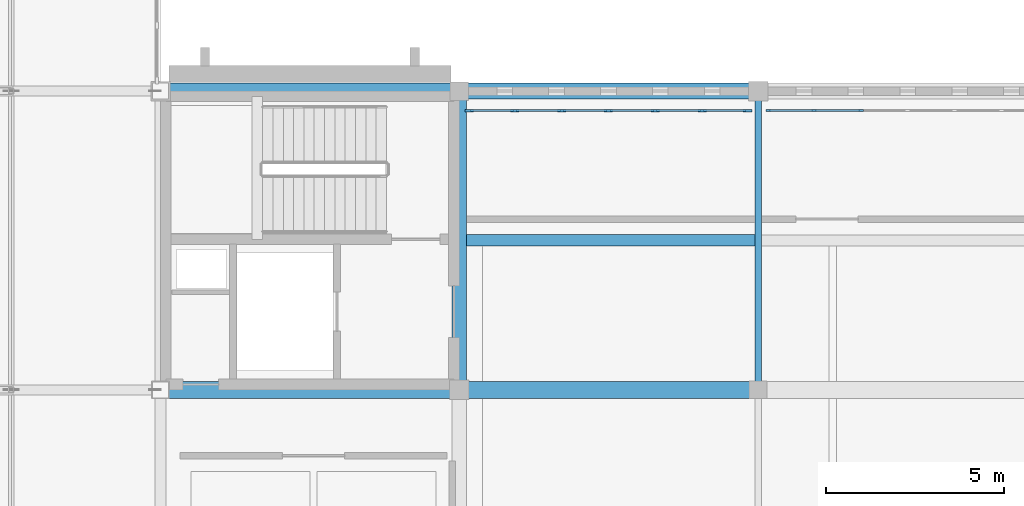
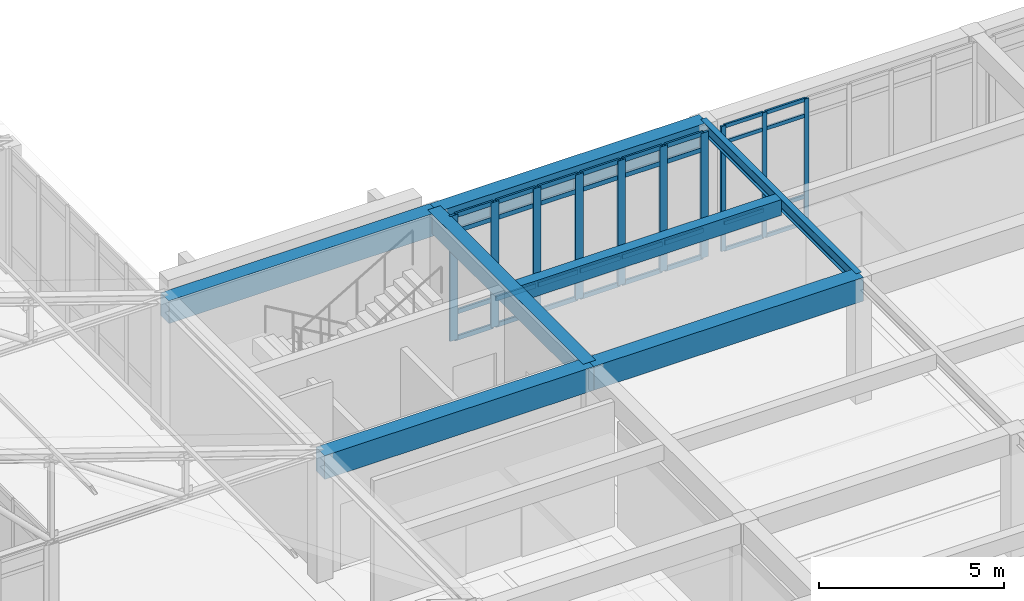
# One storey, part 59 of 192: 42 members, 7 beams, 2 elements without a shape of their own.
"""IFC4 building model written with IfcOpenShell, lengths in metres."""

from ifc_helpers import new_model, si_unit, direction, frame, origin, origin_2d, place, context, subcontext, project, spatial, rectangle, i_section, extrude, material, layer, layer_set, material_profile, profile_set, type_object, element, aggregate, save


model = new_model("IFC4")

# Units and contexts
model_context = context("Model", 3, precision=1e-05, world=origin(), true_north=direction((0.0, 1.0)))
body_context = subcontext(model_context, "Body", "Model", "MODEL_VIEW")
ifc_project = project(units=[si_unit("LENGTHUNIT", "METRE"), si_unit("AREAUNIT", "SQUARE_METRE"), si_unit("VOLUMEUNIT", "CUBIC_METRE"), si_unit("PLANEANGLEUNIT", "RADIAN"), si_unit("MASSUNIT", "GRAM", prefix="KILO")], contexts=[model_context])

# Site, building, storey
site_placement = place(None, origin())
site = spatial("IfcSite", under=ifc_project, at=site_placement, CompositionType="ELEMENT")
building_placement = place(site_placement, origin())
building = spatial("IfcBuilding", under=site, at=building_placement, Name="Kveldsbrygga Polytechnic", CompositionType="ELEMENT")
storey_placement = place(building_placement, frame((0.0, 0.0, 5.43994140625)))
storey = spatial("IfcBuildingStorey", under=building, at=storey_placement, Name="L01", CompositionType="ELEMENT", Elevation=5.43994140625)

# Beams
ifc_material_1 = material(Name="Concrete C35/45", Category="concrete")
ifc_material_profile_1 = material_profile(ifc_material_1, rectangle(XDim=0.39990234375, YDim=0.64990234375, at=origin_2d()), Name="RC 400x650")
ifc_profile_set_1 = profile_set([ifc_material_profile_1], Name="Concrete C35/45")
beam_type_1 = type_object("IfcBeamType", Name="BM-RC-400x650", PredefinedType="BEAM", material=ifc_profile_set_1)
beam_1_placement = place(storey_placement, frame((84.0, 16.800048828125, 3.795166015625), z_axis=(0.0, 1.0, 0.0), x_axis=(-1.0, 0.0, 0.0)))
element("IfcBeam", 1, at=beam_1_placement, inside=storey, type_object=beam_type_1, Name="Primary Beam BMY-L01-10-02to03", PredefinedType="BEAM", context=body_context, shape_type="SweptSolid", body=[
    extrude(rectangle(XDim=0.39990234375, YDim=0.64990234375, at=origin_2d()), origin(), (0.0, 0.0, 1.0), 8.39990234375),
])
ifc_material_profile_2 = material_profile(ifc_material_1, rectangle(XDim=0.449951171875, YDim=0.75, at=origin_2d()), Name="RC 450x750")
ifc_profile_set_2 = profile_set([ifc_material_profile_2], Name="Concrete C35/45")
beam_type_2 = type_object("IfcBeamType", Name="BM-RC-450x750", PredefinedType="BEAM", material=ifc_profile_set_2)
for number, where, z_axis, x_axis, name in (
    (2, (75.60009765625, 25.199951171875, 3.7451171875), (1.0, 0.0, 0.0), (0.0, 1.0, 0.0), "Primary Beam BMX-L01-09to10-03"),
    (3, (84.0, 25.199951171875, 3.7451171875), (1.0, 0.0, 0.0), (0.0, 1.0, 0.0), "Primary Beam BMX-L01-10to11-03"),
):
    element("IfcBeam", number, at=place(storey_placement, frame(where, z_axis=z_axis, x_axis=x_axis)), inside=storey, type_object=beam_type_2, Name=name, PredefinedType="BEAM", context=body_context, shape_type="SweptSolid", body=[
        extrude(rectangle(XDim=0.449951171875, YDim=0.75, at=origin_2d()), origin(), (0.0, 0.0, 1.0), 8.39990234375),
    ])
ifc_material_profile_3 = material_profile(ifc_material_1, rectangle(XDim=0.47998046875, YDim=0.780029296875, at=origin_2d()), Name="RC 480x780")
ifc_profile_set_3 = profile_set([ifc_material_profile_3], Name="Concrete C35/45")
beam_type_3 = type_object("IfcBeamType", Name="BM-RC-480x780", PredefinedType="BEAM", material=ifc_profile_set_3)
for number, where, z_axis, x_axis, name in (
    (4, (75.60009765625, 16.800048828125, 3.72998046875), (1.0, 0.0, 0.0), (0.0, 1.0, 0.0), "Primary Beam BMX-L01-09to10-02"),
    (5, (84.0, 16.800048828125, 3.72998046875), (1.0, 0.0, 0.0), (0.0, 1.0, 0.0), "Primary Beam BMX-L01-10to11-02"),
):
    element("IfcBeam", number, at=place(storey_placement, frame(where, z_axis=z_axis, x_axis=x_axis)), inside=storey, type_object=beam_type_3, Name=name, PredefinedType="BEAM", context=body_context, shape_type="SweptSolid", body=[
        extrude(rectangle(XDim=0.47998046875, YDim=0.780029296875, at=origin_2d()), origin(), (0.0, 0.0, 1.0), 8.39990234375),
    ])
ifc_material_2 = material(Name="Steel S355", Category="steel")
ifc_material_profile_4 = material_profile(ifc_material_2, i_section(OverallWidth=0.179931640625, OverallDepth=0.39990234375, WebThickness=0.008544921875, FlangeThickness=0.013427734375, FilletRadius=0.02099609375, at=origin_2d()), Name="IPE 400")
ifc_profile_set_4 = profile_set([ifc_material_profile_4], Name="Steel S355")
beam_type_4 = type_object("IfcBeamType", Name="BM-STL-IPE400", PredefinedType="BEAM", material=ifc_profile_set_4)
beam_2_placement = place(storey_placement, frame((92.39990234375, 16.800048828125, 3.920166015625), z_axis=(0.0, 1.0, 0.0), x_axis=(-1.0, 0.0, 0.0)))
element("IfcBeam", 6, at=beam_2_placement, inside=storey, type_object=beam_type_4, Name="Primary Beam BMY-L01-11-02to03", PredefinedType="BEAM", context=body_context, shape_type="SweptSolid", body=[
    extrude(i_section(OverallWidth=0.179931640625, OverallDepth=0.39990234375, WebThickness=0.008544921875, FlangeThickness=0.013427734375, FilletRadius=0.02099609375, at=origin_2d()), origin(), (0.0, 0.0, 1.0), 8.39990234375),
])

# Curtain wall, members
ifc_material_3 = material(Name="Anodised aluminium AW-6060", Category="aluminium")
ifc_layer_1 = layer(ifc_material_3, 0.179931640625)
ifc_layer_set_1 = layer_set([ifc_layer_1], Name="Anodised aluminium AW-6060")
curtain_wall_type_1 = type_object("IfcCurtainWallType", Name="CW-CONC-A", PredefinedType="USERDEFINED", material=ifc_layer_set_1)
curtain_wall_1_placement = place(storey_placement, origin())
curtain_wall_1 = element("IfcCurtainWall", 7, at=curtain_wall_1_placement, inside=storey, type_object=curtain_wall_type_1, Name="Curtain Wall CW-L01-X-11-03", ObjectType="UNITISED CURTAIN WALL", PredefinedType="USERDEFINED")
ifc_material_profile_5 = material_profile(ifc_material_3, rectangle(XDim=0.06005859375, YDim=0.139892578125, at=origin_2d()), Name="ALU 60x140")
ifc_profile_set_5 = profile_set([ifc_material_profile_5], Name="Anodised aluminium AW-6060")
member_type_1 = type_object("IfcMemberType", Name="CW-MUL-140", PredefinedType="MULLION", material=ifc_profile_set_5)
member_1_placement = place(storey_placement, frame((92.68994140625, 24.64990234375, 0.0), z_axis=(0.0, 0.0, 1.0), x_axis=(0.0, 1.0, 0.0)))
member_1 = element("IfcMember", 8, at=member_1_placement, type_object=member_type_1, Name="CW-01 mullion 1", PredefinedType="MULLION", context=body_context, shape_type="SweptSolid", body=[
    extrude(rectangle(XDim=0.06005859375, YDim=0.139892578125, at=origin_2d()), origin(), (0.0, 0.0, 1.0), 4.1201171875),
])
member_2_placement = place(storey_placement, frame((93.975830078125, 24.64990234375, 0.0), z_axis=(0.0, 0.0, 1.0), x_axis=(0.0, 1.0, 0.0)))
member_2 = element("IfcMember", 9, at=member_2_placement, type_object=member_type_1, Name="CW-01 mullion 2", PredefinedType="MULLION", context=body_context, shape_type="SweptSolid", body=[
    extrude(rectangle(XDim=0.06005859375, YDim=0.139892578125, at=origin_2d()), origin(), (0.0, 0.0, 1.0), 4.1201171875),
])
member_3_placement = place(storey_placement, frame((95.291748046875, 24.64990234375, 0.0), z_axis=(0.0, 0.0, 1.0), x_axis=(0.0, 1.0, 0.0)))
member_3 = element("IfcMember", 10, at=member_3_placement, type_object=member_type_1, Name="CW-01 mullion 3", PredefinedType="MULLION", context=body_context, shape_type="SweptSolid", body=[
    extrude(rectangle(XDim=0.06005859375, YDim=0.139892578125, at=origin_2d()), origin(), (0.0, 0.0, 1.0), 4.1201171875),
])

ifc_layer_2 = layer(ifc_material_3, 0.2099609375)
ifc_layer_set_2 = layer_set([ifc_layer_2], Name="Anodised aluminium AW-6060")
curtain_wall_type_2 = type_object("IfcCurtainWallType", Name="CW-LIBR-H", PredefinedType="USERDEFINED", material=ifc_layer_set_2)
curtain_wall_2_placement = place(storey_placement, origin())
curtain_wall_2 = element("IfcCurtainWall", 11, at=curtain_wall_2_placement, inside=storey, type_object=curtain_wall_type_2, Name="Curtain Wall CW-L01-X-10-03", ObjectType="UNITISED CURTAIN WALL", PredefinedType="USERDEFINED")
ifc_material_profile_6 = material_profile(ifc_material_3, rectangle(XDim=0.074951171875, YDim=0.239990234375, at=origin_2d()), Name="ALU 75x240")
ifc_profile_set_6 = profile_set([ifc_material_profile_6], Name="Anodised aluminium AW-6060")
member_type_2 = type_object("IfcMemberType", Name="CW-MUL-240", PredefinedType="MULLION", material=ifc_profile_set_6)
member_4_placement = place(storey_placement, frame((84.282470703125, 24.64990234375, 0.0), z_axis=(0.0, 0.0, 1.0), x_axis=(0.0, 1.0, 0.0)))
member_4 = element("IfcMember", 12, at=member_4_placement, type_object=member_type_2, Name="CW-08 mullion 1", PredefinedType="MULLION", context=body_context, shape_type="SweptSolid", body=[
    extrude(rectangle(XDim=0.074951171875, YDim=0.239990234375, at=origin_2d()), origin(), (0.0, 0.0, 1.0), 4.1201171875),
])
member_5_placement = place(storey_placement, frame((85.560791015625, 24.64990234375, 0.0), z_axis=(0.0, 0.0, 1.0), x_axis=(0.0, 1.0, 0.0)))
member_5 = element("IfcMember", 13, at=member_5_placement, type_object=member_type_2, Name="CW-08 mullion 2", PredefinedType="MULLION", context=body_context, shape_type="SweptSolid", body=[
    extrude(rectangle(XDim=0.074951171875, YDim=0.239990234375, at=origin_2d()), origin(), (0.0, 0.0, 1.0), 4.1201171875),
])
member_6_placement = place(storey_placement, frame((86.876708984375, 24.64990234375, 0.0), z_axis=(0.0, 0.0, 1.0), x_axis=(0.0, 1.0, 0.0)))
member_6 = element("IfcMember", 14, at=member_6_placement, type_object=member_type_2, Name="CW-08 mullion 3", PredefinedType="MULLION", context=body_context, shape_type="SweptSolid", body=[
    extrude(rectangle(XDim=0.074951171875, YDim=0.239990234375, at=origin_2d()), origin(), (0.0, 0.0, 1.0), 4.1201171875),
])
member_7_placement = place(storey_placement, frame((88.1923828125, 24.64990234375, 0.0), z_axis=(0.0, 0.0, 1.0), x_axis=(0.0, 1.0, 0.0)))
member_7 = element("IfcMember", 15, at=member_7_placement, type_object=member_type_2, Name="CW-08 mullion 4", PredefinedType="MULLION", context=body_context, shape_type="SweptSolid", body=[
    extrude(rectangle(XDim=0.074951171875, YDim=0.239990234375, at=origin_2d()), origin(), (0.0, 0.0, 1.0), 4.1201171875),
])
member_8_placement = place(storey_placement, frame((89.50830078125, 24.64990234375, 0.0), z_axis=(0.0, 0.0, 1.0), x_axis=(0.0, 1.0, 0.0)))
member_8 = element("IfcMember", 16, at=member_8_placement, type_object=member_type_2, Name="CW-08 mullion 5", PredefinedType="MULLION", context=body_context, shape_type="SweptSolid", body=[
    extrude(rectangle(XDim=0.074951171875, YDim=0.239990234375, at=origin_2d()), origin(), (0.0, 0.0, 1.0), 4.1201171875),
])
member_9_placement = place(storey_placement, frame((90.82421875, 24.64990234375, 0.0), z_axis=(0.0, 0.0, 1.0), x_axis=(0.0, 1.0, 0.0)))
member_9 = element("IfcMember", 17, at=member_9_placement, type_object=member_type_2, Name="CW-08 mullion 6", PredefinedType="MULLION", context=body_context, shape_type="SweptSolid", body=[
    extrude(rectangle(XDim=0.074951171875, YDim=0.239990234375, at=origin_2d()), origin(), (0.0, 0.0, 1.0), 4.1201171875),
])
member_10_placement = place(storey_placement, frame((92.1025390625, 24.64990234375, 0.0), z_axis=(0.0, 0.0, 1.0), x_axis=(0.0, 1.0, 0.0)))
member_10 = element("IfcMember", 18, at=member_10_placement, type_object=member_type_2, Name="CW-08 mullion 7", PredefinedType="MULLION", context=body_context, shape_type="SweptSolid", body=[
    extrude(rectangle(XDim=0.074951171875, YDim=0.239990234375, at=origin_2d()), origin(), (0.0, 0.0, 1.0), 4.1201171875),
])

# Member
ifc_material_profile_7 = material_profile(ifc_material_3, rectangle(XDim=0.06005859375, YDim=0.1201171875, at=origin_2d()), Name="ALU 60x120")
ifc_profile_set_7 = profile_set([ifc_material_profile_7], Name="Anodised aluminium AW-6060")
member_type_3 = type_object("IfcMemberType", Name="CW-TRN-120", PredefinedType="USERDEFINED", material=ifc_profile_set_7)
member_11_placement = place(storey_placement, frame((92.719970703125, 24.64990234375, 0.030029296875), z_axis=(1.0, 0.0, 0.0), x_axis=(0.0, 1.0, 0.0)))
member_11 = element("IfcMember", 19, at=member_11_placement, type_object=member_type_3, Name="CW-01 transom 1.1", ObjectType="TRANSOM", PredefinedType="USERDEFINED", context=body_context, shape_type="SweptSolid", body=[
    extrude(rectangle(XDim=0.06005859375, YDim=0.1201171875, at=origin_2d()), origin(), (0.0, 0.0, 1.0), 1.225830078125),
])

member_12_placement = place(storey_placement, frame((92.719970703125, 24.64990234375, 0.900146484375), z_axis=(1.0, 0.0, 0.0), x_axis=(0.0, 1.0, 0.0)))
member_12 = element("IfcMember", 20, at=member_12_placement, type_object=member_type_3, Name="CW-01 transom 1.2", ObjectType="TRANSOM", PredefinedType="USERDEFINED", context=body_context, shape_type="SweptSolid", body=[
    extrude(rectangle(XDim=0.06005859375, YDim=0.1201171875, at=origin_2d()), origin(), (0.0, 0.0, 1.0), 1.225830078125),
])

member_13_placement = place(storey_placement, frame((92.719970703125, 24.64990234375, 3.570068359375), z_axis=(1.0, 0.0, 0.0), x_axis=(0.0, 1.0, 0.0)))
member_13 = element("IfcMember", 21, at=member_13_placement, type_object=member_type_3, Name="CW-01 transom 1.3", ObjectType="TRANSOM", PredefinedType="USERDEFINED", context=body_context, shape_type="SweptSolid", body=[
    extrude(rectangle(XDim=0.06005859375, YDim=0.1201171875, at=origin_2d()), origin(), (0.0, 0.0, 1.0), 1.225830078125),
])

member_14_placement = place(storey_placement, frame((92.719970703125, 24.64990234375, 4.090087890625), z_axis=(1.0, 0.0, 0.0), x_axis=(0.0, 1.0, 0.0)))
member_14 = element("IfcMember", 22, at=member_14_placement, type_object=member_type_3, Name="CW-01 transom 1.4", ObjectType="TRANSOM", PredefinedType="USERDEFINED", context=body_context, shape_type="SweptSolid", body=[
    extrude(rectangle(XDim=0.06005859375, YDim=0.1201171875, at=origin_2d()), origin(), (0.0, 0.0, 1.0), 1.225830078125),
])

member_15_placement = place(storey_placement, frame((94.005859375, 24.64990234375, 0.030029296875), z_axis=(1.0, 0.0, 0.0), x_axis=(0.0, 1.0, 0.0)))
member_15 = element("IfcMember", 23, at=member_15_placement, type_object=member_type_3, Name="CW-01 transom 2.1", ObjectType="TRANSOM", PredefinedType="USERDEFINED", context=body_context, shape_type="SweptSolid", body=[
    extrude(rectangle(XDim=0.06005859375, YDim=0.1201171875, at=origin_2d()), origin(), (0.0, 0.0, 1.0), 1.255859375),
])

member_16_placement = place(storey_placement, frame((94.005859375, 24.64990234375, 0.900146484375), z_axis=(1.0, 0.0, 0.0), x_axis=(0.0, 1.0, 0.0)))
member_16 = element("IfcMember", 24, at=member_16_placement, type_object=member_type_3, Name="CW-01 transom 2.2", ObjectType="TRANSOM", PredefinedType="USERDEFINED", context=body_context, shape_type="SweptSolid", body=[
    extrude(rectangle(XDim=0.06005859375, YDim=0.1201171875, at=origin_2d()), origin(), (0.0, 0.0, 1.0), 1.255859375),
])

member_17_placement = place(storey_placement, frame((94.005859375, 24.64990234375, 3.570068359375), z_axis=(1.0, 0.0, 0.0), x_axis=(0.0, 1.0, 0.0)))
member_17 = element("IfcMember", 25, at=member_17_placement, type_object=member_type_3, Name="CW-01 transom 2.3", ObjectType="TRANSOM", PredefinedType="USERDEFINED", context=body_context, shape_type="SweptSolid", body=[
    extrude(rectangle(XDim=0.06005859375, YDim=0.1201171875, at=origin_2d()), origin(), (0.0, 0.0, 1.0), 1.255859375),
])

member_18_placement = place(storey_placement, frame((94.005859375, 24.64990234375, 4.090087890625), z_axis=(1.0, 0.0, 0.0), x_axis=(0.0, 1.0, 0.0)))
member_18 = element("IfcMember", 26, at=member_18_placement, type_object=member_type_3, Name="CW-01 transom 2.4", ObjectType="TRANSOM", PredefinedType="USERDEFINED", context=body_context, shape_type="SweptSolid", body=[
    extrude(rectangle(XDim=0.06005859375, YDim=0.1201171875, at=origin_2d()), origin(), (0.0, 0.0, 1.0), 1.255859375),
])

aggregate(curtain_wall_1, [member_1, member_2, member_3, member_11, member_12, member_13, member_14, member_15, member_16, member_17, member_18])

ifc_material_profile_8 = material_profile(ifc_material_3, rectangle(XDim=0.06005859375, YDim=0.14990234375, at=origin_2d()), Name="ALU 60x150")
ifc_profile_set_8 = profile_set([ifc_material_profile_8], Name="Anodised aluminium AW-6060")
member_type_4 = type_object("IfcMemberType", Name="CW-TRN-150", PredefinedType="USERDEFINED", material=ifc_profile_set_8)
member_19_placement = place(storey_placement, frame((84.320068359375, 24.64990234375, 0.030029296875), z_axis=(1.0, 0.0, 0.0), x_axis=(0.0, 1.0, 0.0)))
member_19 = element("IfcMember", 27, at=member_19_placement, type_object=member_type_4, Name="CW-08 transom 1.1", ObjectType="TRANSOM", PredefinedType="USERDEFINED", context=body_context, shape_type="SweptSolid", body=[
    extrude(rectangle(XDim=0.06005859375, YDim=0.14990234375, at=origin_2d()), origin(), (0.0, 0.0, 1.0), 1.203369140625),
])

member_20_placement = place(storey_placement, frame((84.320068359375, 24.64990234375, 0.900146484375), z_axis=(1.0, 0.0, 0.0), x_axis=(0.0, 1.0, 0.0)))
member_20 = element("IfcMember", 28, at=member_20_placement, type_object=member_type_4, Name="CW-08 transom 1.2", ObjectType="TRANSOM", PredefinedType="USERDEFINED", context=body_context, shape_type="SweptSolid", body=[
    extrude(rectangle(XDim=0.06005859375, YDim=0.14990234375, at=origin_2d()), origin(), (0.0, 0.0, 1.0), 1.203369140625),
])

member_21_placement = place(storey_placement, frame((84.320068359375, 24.64990234375, 3.570068359375), z_axis=(1.0, 0.0, 0.0), x_axis=(0.0, 1.0, 0.0)))
member_21 = element("IfcMember", 29, at=member_21_placement, type_object=member_type_4, Name="CW-08 transom 1.3", ObjectType="TRANSOM", PredefinedType="USERDEFINED", context=body_context, shape_type="SweptSolid", body=[
    extrude(rectangle(XDim=0.06005859375, YDim=0.14990234375, at=origin_2d()), origin(), (0.0, 0.0, 1.0), 1.203369140625),
])

member_22_placement = place(storey_placement, frame((84.320068359375, 24.64990234375, 4.090087890625), z_axis=(1.0, 0.0, 0.0), x_axis=(0.0, 1.0, 0.0)))
member_22 = element("IfcMember", 30, at=member_22_placement, type_object=member_type_4, Name="CW-08 transom 1.4", ObjectType="TRANSOM", PredefinedType="USERDEFINED", context=body_context, shape_type="SweptSolid", body=[
    extrude(rectangle(XDim=0.06005859375, YDim=0.14990234375, at=origin_2d()), origin(), (0.0, 0.0, 1.0), 1.203369140625),
])

member_23_placement = place(storey_placement, frame((85.598388671875, 24.64990234375, 0.030029296875), z_axis=(1.0, 0.0, 0.0), x_axis=(0.0, 1.0, 0.0)))
member_23 = element("IfcMember", 31, at=member_23_placement, type_object=member_type_4, Name="CW-08 transom 2.1", ObjectType="TRANSOM", PredefinedType="USERDEFINED", context=body_context, shape_type="SweptSolid", body=[
    extrude(rectangle(XDim=0.06005859375, YDim=0.14990234375, at=origin_2d()), origin(), (0.0, 0.0, 1.0), 1.24072265625),
])

member_24_placement = place(storey_placement, frame((85.598388671875, 24.64990234375, 0.900146484375), z_axis=(1.0, 0.0, 0.0), x_axis=(0.0, 1.0, 0.0)))
member_24 = element("IfcMember", 32, at=member_24_placement, type_object=member_type_4, Name="CW-08 transom 2.2", ObjectType="TRANSOM", PredefinedType="USERDEFINED", context=body_context, shape_type="SweptSolid", body=[
    extrude(rectangle(XDim=0.06005859375, YDim=0.14990234375, at=origin_2d()), origin(), (0.0, 0.0, 1.0), 1.24072265625),
])

member_25_placement = place(storey_placement, frame((85.598388671875, 24.64990234375, 3.570068359375), z_axis=(1.0, 0.0, 0.0), x_axis=(0.0, 1.0, 0.0)))
member_25 = element("IfcMember", 33, at=member_25_placement, type_object=member_type_4, Name="CW-08 transom 2.3", ObjectType="TRANSOM", PredefinedType="USERDEFINED", context=body_context, shape_type="SweptSolid", body=[
    extrude(rectangle(XDim=0.06005859375, YDim=0.14990234375, at=origin_2d()), origin(), (0.0, 0.0, 1.0), 1.24072265625),
])

member_26_placement = place(storey_placement, frame((85.598388671875, 24.64990234375, 4.090087890625), z_axis=(1.0, 0.0, 0.0), x_axis=(0.0, 1.0, 0.0)))
member_26 = element("IfcMember", 34, at=member_26_placement, type_object=member_type_4, Name="CW-08 transom 2.4", ObjectType="TRANSOM", PredefinedType="USERDEFINED", context=body_context, shape_type="SweptSolid", body=[
    extrude(rectangle(XDim=0.06005859375, YDim=0.14990234375, at=origin_2d()), origin(), (0.0, 0.0, 1.0), 1.24072265625),
])

member_27_placement = place(storey_placement, frame((86.9140625, 24.64990234375, 0.030029296875), z_axis=(1.0, 0.0, 0.0), x_axis=(0.0, 1.0, 0.0)))
member_27 = element("IfcMember", 35, at=member_27_placement, type_object=member_type_4, Name="CW-08 transom 3.1", ObjectType="TRANSOM", PredefinedType="USERDEFINED", context=body_context, shape_type="SweptSolid", body=[
    extrude(rectangle(XDim=0.06005859375, YDim=0.14990234375, at=origin_2d()), origin(), (0.0, 0.0, 1.0), 1.240966796875),
])

member_28_placement = place(storey_placement, frame((86.9140625, 24.64990234375, 0.900146484375), z_axis=(1.0, 0.0, 0.0), x_axis=(0.0, 1.0, 0.0)))
member_28 = element("IfcMember", 36, at=member_28_placement, type_object=member_type_4, Name="CW-08 transom 3.2", ObjectType="TRANSOM", PredefinedType="USERDEFINED", context=body_context, shape_type="SweptSolid", body=[
    extrude(rectangle(XDim=0.06005859375, YDim=0.14990234375, at=origin_2d()), origin(), (0.0, 0.0, 1.0), 1.240966796875),
])

member_29_placement = place(storey_placement, frame((86.9140625, 24.64990234375, 3.570068359375), z_axis=(1.0, 0.0, 0.0), x_axis=(0.0, 1.0, 0.0)))
member_29 = element("IfcMember", 37, at=member_29_placement, type_object=member_type_4, Name="CW-08 transom 3.3", ObjectType="TRANSOM", PredefinedType="USERDEFINED", context=body_context, shape_type="SweptSolid", body=[
    extrude(rectangle(XDim=0.06005859375, YDim=0.14990234375, at=origin_2d()), origin(), (0.0, 0.0, 1.0), 1.240966796875),
])

member_30_placement = place(storey_placement, frame((86.9140625, 24.64990234375, 4.090087890625), z_axis=(1.0, 0.0, 0.0), x_axis=(0.0, 1.0, 0.0)))
member_30 = element("IfcMember", 38, at=member_30_placement, type_object=member_type_4, Name="CW-08 transom 3.4", ObjectType="TRANSOM", PredefinedType="USERDEFINED", context=body_context, shape_type="SweptSolid", body=[
    extrude(rectangle(XDim=0.06005859375, YDim=0.14990234375, at=origin_2d()), origin(), (0.0, 0.0, 1.0), 1.240966796875),
])

member_31_placement = place(storey_placement, frame((88.22998046875, 24.64990234375, 0.030029296875), z_axis=(1.0, 0.0, 0.0), x_axis=(0.0, 1.0, 0.0)))
member_31 = element("IfcMember", 39, at=member_31_placement, type_object=member_type_4, Name="CW-08 transom 4.1", ObjectType="TRANSOM", PredefinedType="USERDEFINED", context=body_context, shape_type="SweptSolid", body=[
    extrude(rectangle(XDim=0.06005859375, YDim=0.14990234375, at=origin_2d()), origin(), (0.0, 0.0, 1.0), 1.240966796875),
])

member_32_placement = place(storey_placement, frame((88.22998046875, 24.64990234375, 0.900146484375), z_axis=(1.0, 0.0, 0.0), x_axis=(0.0, 1.0, 0.0)))
member_32 = element("IfcMember", 40, at=member_32_placement, type_object=member_type_4, Name="CW-08 transom 4.2", ObjectType="TRANSOM", PredefinedType="USERDEFINED", context=body_context, shape_type="SweptSolid", body=[
    extrude(rectangle(XDim=0.06005859375, YDim=0.14990234375, at=origin_2d()), origin(), (0.0, 0.0, 1.0), 1.240966796875),
])

member_33_placement = place(storey_placement, frame((88.22998046875, 24.64990234375, 3.570068359375), z_axis=(1.0, 0.0, 0.0), x_axis=(0.0, 1.0, 0.0)))
member_33 = element("IfcMember", 41, at=member_33_placement, type_object=member_type_4, Name="CW-08 transom 4.3", ObjectType="TRANSOM", PredefinedType="USERDEFINED", context=body_context, shape_type="SweptSolid", body=[
    extrude(rectangle(XDim=0.06005859375, YDim=0.14990234375, at=origin_2d()), origin(), (0.0, 0.0, 1.0), 1.240966796875),
])

member_34_placement = place(storey_placement, frame((88.22998046875, 24.64990234375, 4.090087890625), z_axis=(1.0, 0.0, 0.0), x_axis=(0.0, 1.0, 0.0)))
member_34 = element("IfcMember", 42, at=member_34_placement, type_object=member_type_4, Name="CW-08 transom 4.4", ObjectType="TRANSOM", PredefinedType="USERDEFINED", context=body_context, shape_type="SweptSolid", body=[
    extrude(rectangle(XDim=0.06005859375, YDim=0.14990234375, at=origin_2d()), origin(), (0.0, 0.0, 1.0), 1.240966796875),
])

member_35_placement = place(storey_placement, frame((89.5458984375, 24.64990234375, 0.030029296875), z_axis=(1.0, 0.0, 0.0), x_axis=(0.0, 1.0, 0.0)))
member_35 = element("IfcMember", 43, at=member_35_placement, type_object=member_type_4, Name="CW-08 transom 5.1", ObjectType="TRANSOM", PredefinedType="USERDEFINED", context=body_context, shape_type="SweptSolid", body=[
    extrude(rectangle(XDim=0.06005859375, YDim=0.14990234375, at=origin_2d()), origin(), (0.0, 0.0, 1.0), 1.24072265625),
])

member_36_placement = place(storey_placement, frame((89.5458984375, 24.64990234375, 0.900146484375), z_axis=(1.0, 0.0, 0.0), x_axis=(0.0, 1.0, 0.0)))
member_36 = element("IfcMember", 44, at=member_36_placement, type_object=member_type_4, Name="CW-08 transom 5.2", ObjectType="TRANSOM", PredefinedType="USERDEFINED", context=body_context, shape_type="SweptSolid", body=[
    extrude(rectangle(XDim=0.06005859375, YDim=0.14990234375, at=origin_2d()), origin(), (0.0, 0.0, 1.0), 1.24072265625),
])

member_37_placement = place(storey_placement, frame((89.5458984375, 24.64990234375, 3.570068359375), z_axis=(1.0, 0.0, 0.0), x_axis=(0.0, 1.0, 0.0)))
member_37 = element("IfcMember", 45, at=member_37_placement, type_object=member_type_4, Name="CW-08 transom 5.3", ObjectType="TRANSOM", PredefinedType="USERDEFINED", context=body_context, shape_type="SweptSolid", body=[
    extrude(rectangle(XDim=0.06005859375, YDim=0.14990234375, at=origin_2d()), origin(), (0.0, 0.0, 1.0), 1.24072265625),
])

member_38_placement = place(storey_placement, frame((89.5458984375, 24.64990234375, 4.090087890625), z_axis=(1.0, 0.0, 0.0), x_axis=(0.0, 1.0, 0.0)))
member_38 = element("IfcMember", 46, at=member_38_placement, type_object=member_type_4, Name="CW-08 transom 5.4", ObjectType="TRANSOM", PredefinedType="USERDEFINED", context=body_context, shape_type="SweptSolid", body=[
    extrude(rectangle(XDim=0.06005859375, YDim=0.14990234375, at=origin_2d()), origin(), (0.0, 0.0, 1.0), 1.24072265625),
])

member_39_placement = place(storey_placement, frame((90.861572265625, 24.64990234375, 0.030029296875), z_axis=(1.0, 0.0, 0.0), x_axis=(0.0, 1.0, 0.0)))
member_39 = element("IfcMember", 47, at=member_39_placement, type_object=member_type_4, Name="CW-08 transom 6.1", ObjectType="TRANSOM", PredefinedType="USERDEFINED", context=body_context, shape_type="SweptSolid", body=[
    extrude(rectangle(XDim=0.06005859375, YDim=0.14990234375, at=origin_2d()), origin(), (0.0, 0.0, 1.0), 1.203369140625),
])

member_40_placement = place(storey_placement, frame((90.861572265625, 24.64990234375, 0.900146484375), z_axis=(1.0, 0.0, 0.0), x_axis=(0.0, 1.0, 0.0)))
member_40 = element("IfcMember", 48, at=member_40_placement, type_object=member_type_4, Name="CW-08 transom 6.2", ObjectType="TRANSOM", PredefinedType="USERDEFINED", context=body_context, shape_type="SweptSolid", body=[
    extrude(rectangle(XDim=0.06005859375, YDim=0.14990234375, at=origin_2d()), origin(), (0.0, 0.0, 1.0), 1.203369140625),
])

member_41_placement = place(storey_placement, frame((90.861572265625, 24.64990234375, 3.570068359375), z_axis=(1.0, 0.0, 0.0), x_axis=(0.0, 1.0, 0.0)))
member_41 = element("IfcMember", 49, at=member_41_placement, type_object=member_type_4, Name="CW-08 transom 6.3", ObjectType="TRANSOM", PredefinedType="USERDEFINED", context=body_context, shape_type="SweptSolid", body=[
    extrude(rectangle(XDim=0.06005859375, YDim=0.14990234375, at=origin_2d()), origin(), (0.0, 0.0, 1.0), 1.203369140625),
])

member_42_placement = place(storey_placement, frame((90.861572265625, 24.64990234375, 4.090087890625), z_axis=(1.0, 0.0, 0.0), x_axis=(0.0, 1.0, 0.0)))
member_42 = element("IfcMember", 50, at=member_42_placement, type_object=member_type_4, Name="CW-08 transom 6.4", ObjectType="TRANSOM", PredefinedType="USERDEFINED", context=body_context, shape_type="SweptSolid", body=[
    extrude(rectangle(XDim=0.06005859375, YDim=0.14990234375, at=origin_2d()), origin(), (0.0, 0.0, 1.0), 1.203369140625),
])

aggregate(curtain_wall_2, [member_4, member_5, member_6, member_7, member_8, member_9, member_10, member_19, member_20, member_21, member_22, member_23, member_24, member_25, member_26, member_27, member_28, member_29, member_30, member_31, member_32, member_33, member_34, member_35, member_36, member_37, member_38, member_39, member_40, member_41, member_42])

# Beam
ifc_material_profile_9 = material_profile(ifc_material_1, rectangle(XDim=0.320068359375, YDim=0.52001953125, at=origin_2d()), Name="RC 320x520")
ifc_profile_set_9 = profile_set([ifc_material_profile_9], Name="Concrete C35/45")
beam_type_5 = type_object("IfcBeamType", Name="JST-RC-320x520", PredefinedType="JOIST", material=ifc_profile_set_9)
beam_3_placement = place(storey_placement, frame((84.199951171875, 21.0, 3.860107421875), z_axis=(1.0, 0.0, 0.0), x_axis=(0.0, 1.0, 0.0)))
element("IfcBeam", 51, at=beam_3_placement, inside=storey, type_object=beam_type_5, Name="Secondary Joist JST-L01-10-02", PredefinedType="JOIST", context=body_context, shape_type="SweptSolid", body=[
    extrude(rectangle(XDim=0.320068359375, YDim=0.52001953125, at=origin_2d()), origin(), (0.0, 0.0, 1.0), 8.110107421875),
])

save(model, "model.ifc")
